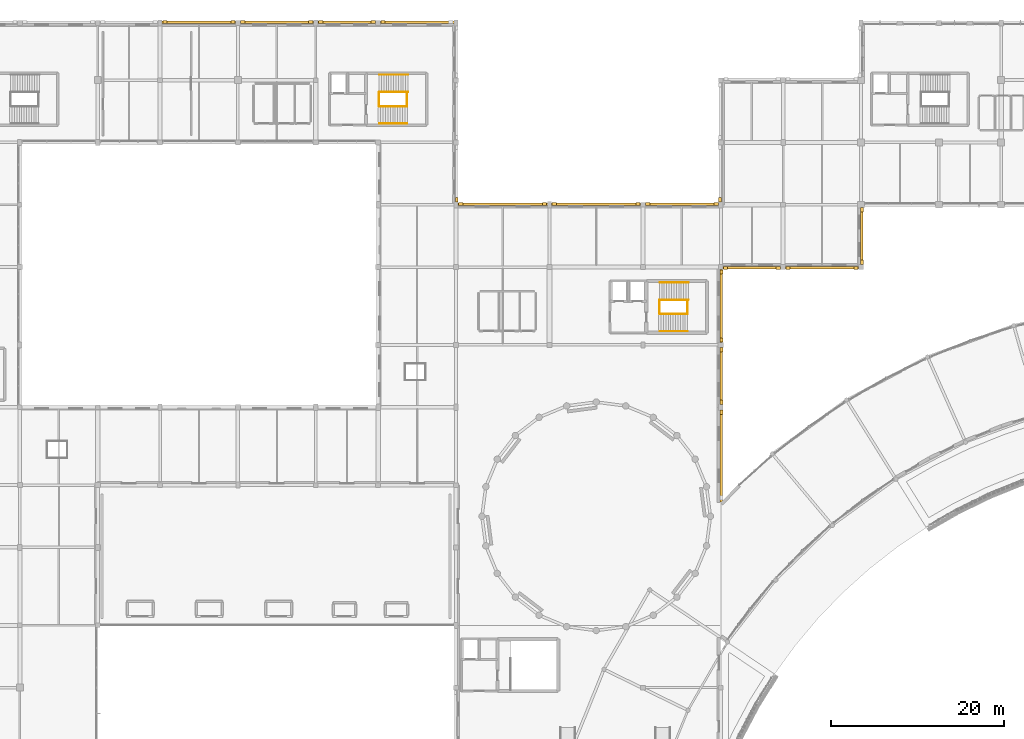
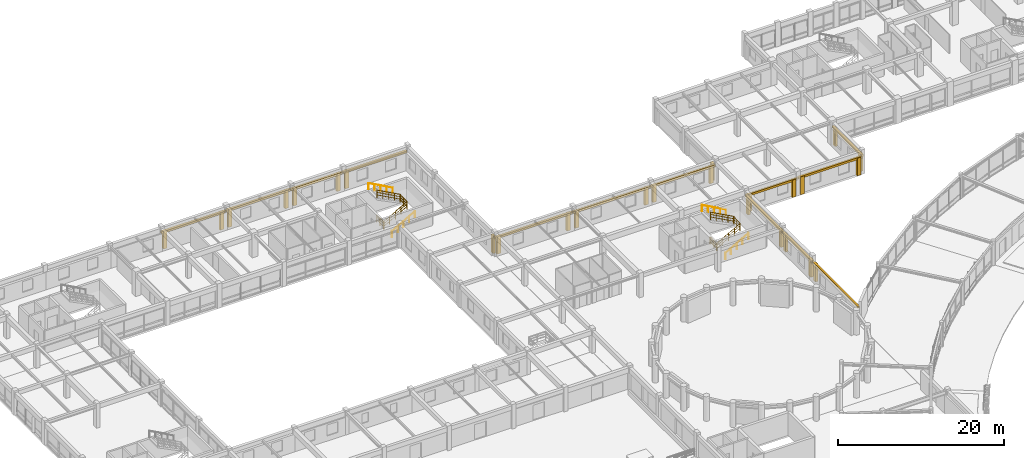
# One storey, part 69 of 74: 39 coverings, 12 railings.
"""IFC4 building model written with IfcOpenShell, lengths in metres."""

from ifc_helpers import new_model, si_unit, direction, frame, frame_2d, origin, origin_2d, place, context, subcontext, project, spatial, rectangle, circle, extrude, material, layer, layer_set, type_object, element, save


model = new_model("IFC4")

# Units and contexts
model_context = context("Model", 3, precision=1e-05, world=origin(), true_north=direction((0.0, 1.0)))
body_context = subcontext(model_context, "Body", "Model", "MODEL_VIEW")
ifc_project = project(units=[si_unit("LENGTHUNIT", "METRE"), si_unit("AREAUNIT", "SQUARE_METRE"), si_unit("VOLUMEUNIT", "CUBIC_METRE"), si_unit("PLANEANGLEUNIT", "RADIAN"), si_unit("MASSUNIT", "GRAM", prefix="KILO")], contexts=[model_context])

# Site, building, storey
site_placement = place(None, origin())
site = spatial("IfcSite", under=ifc_project, at=site_placement, CompositionType="ELEMENT")
building_placement = place(site_placement, origin())
building = spatial("IfcBuilding", under=site, at=building_placement, Name="Clarverna Civic Hall", CompositionType="ELEMENT")
storey_placement = place(building_placement, frame((0.0, 0.0, 9.60009765625)))
storey = spatial("IfcBuildingStorey", under=building, at=storey_placement, Name="L02", CompositionType="ELEMENT", Elevation=9.60009765625)

# Coverings
ifc_material_1 = material(Name="Montjuic Buff Limestone Ashlar Cladding", Category="masonry")
ifc_layer = layer(ifc_material_1, 0.070068359375)
ifc_layer_set = layer_set([ifc_layer], Name="Montjuic Buff Limestone Ashlar Cladding")
covering_type = type_object("IfcCoveringType", Name="CV-CL2", PredefinedType="CLADDING", material=ifc_layer_set)
covering_1_placement = place(storey_placement, frame((32.4599609375, 116.080078125, 2.31982421875), z_axis=(0.0, 0.0, 1.0), x_axis=(1.0, 0.0, 0.0)))
element("IfcCovering", 1, at=covering_1_placement, inside=storey, type_object=covering_type, Name="CV-CL2-413", PredefinedType="CLADDING", context=body_context, shape_type="SweptSolid", body=[
    extrude(rectangle(XDim=8.880126953125, YDim=0.280029296875, at=frame_2d((4.43994140625, 0.0))), origin(), (0.0, 0.0, 1.0), 0.300048828125),
])
for number, where, z_axis, x_axis, name in (
    (2, (32.719970703125, 116.110107421875, 0.0), (0.0, 0.0, 1.0), (1.0, 0.0, 0.0), "CV-CL2-414"),
    (3, (40.580078125, 116.110107421875, 0.0), (0.0, 0.0, 1.0), (1.0, 0.0, 0.0), "CV-CL2-415"),
):
    element("IfcCovering", number, at=place(storey_placement, frame(where, z_axis=z_axis, x_axis=x_axis)), inside=storey, type_object=covering_type, Name=name, PredefinedType="CLADDING", context=body_context, shape_type="SweptSolid", body=[
        extrude(rectangle(XDim=0.5, YDim=0.340087890625, at=frame_2d((0.25, 0.0))), origin(), (0.0, 0.0, 1.0), 2.599853515625),
    ])
covering_2_placement = place(storey_placement, frame((41.4599609375, 116.080078125, 2.35986328125), z_axis=(0.0, 0.0, 1.0), x_axis=(1.0, 0.0, 0.0)))
element("IfcCovering", 4, at=covering_2_placement, inside=storey, type_object=covering_type, Name="CV-CL2-416", PredefinedType="CLADDING", context=body_context, shape_type="SweptSolid", body=[
    extrude(rectangle(XDim=8.880126953125, YDim=0.280029296875, at=frame_2d((4.43994140625, 0.0))), origin(), (0.0, 0.0, 1.0), 0.300048828125),
])
for number, where, z_axis, x_axis, name in (
    (5, (41.719970703125, 116.110107421875, 0.0), (0.0, 0.0, 1.0), (1.0, 0.0, 0.0), "CV-CL2-417"),
    (6, (49.580078125, 116.110107421875, 0.0), (0.0, 0.0, 1.0), (1.0, 0.0, 0.0), "CV-CL2-418"),
):
    element("IfcCovering", number, at=place(storey_placement, frame(where, z_axis=z_axis, x_axis=x_axis)), inside=storey, type_object=covering_type, Name=name, PredefinedType="CLADDING", context=body_context, shape_type="SweptSolid", body=[
        extrude(rectangle(XDim=0.5, YDim=0.340087890625, at=frame_2d((0.25, 0.0))), origin(), (0.0, 0.0, 1.0), 2.639892578125),
    ])
covering_3_placement = place(storey_placement, frame((50.4599609375, 116.080078125, 2.31982421875), z_axis=(0.0, 0.0, 1.0), x_axis=(1.0, 0.0, 0.0)))
element("IfcCovering", 7, at=covering_3_placement, inside=storey, type_object=covering_type, Name="CV-CL2-419", PredefinedType="CLADDING", context=body_context, shape_type="SweptSolid", body=[
    extrude(rectangle(XDim=7.080078125, YDim=0.280029296875, at=frame_2d((3.5400390625, 0.0))), origin(), (0.0, 0.0, 1.0), 0.300048828125),
])
for number, where, z_axis, x_axis, name in (
    (8, (50.719970703125, 116.110107421875, 0.0), (0.0, 0.0, 1.0), (1.0, 0.0, 0.0), "CV-CL2-420"),
    (9, (56.780029296875, 116.110107421875, 0.0), (0.0, 0.0, 1.0), (1.0, 0.0, 0.0), "CV-CL2-421"),
):
    element("IfcCovering", number, at=place(storey_placement, frame(where, z_axis=z_axis, x_axis=x_axis)), inside=storey, type_object=covering_type, Name=name, PredefinedType="CLADDING", context=body_context, shape_type="SweptSolid", body=[
        extrude(rectangle(XDim=0.5, YDim=0.340087890625, at=frame_2d((0.25, 0.0))), origin(), (0.0, 0.0, 1.0), 2.599853515625),
    ])
covering_4_placement = place(storey_placement, frame((57.659912109375, 116.080078125, 2.31982421875), z_axis=(0.0, 0.0, 1.0), x_axis=(1.0, 0.0, 0.0)))
element("IfcCovering", 10, at=covering_4_placement, inside=storey, type_object=covering_type, Name="CV-CL2-422", PredefinedType="CLADDING", context=body_context, shape_type="SweptSolid", body=[
    extrude(rectangle(XDim=8.85498046875, YDim=0.280029296875, at=frame_2d((4.427490234375, 0.0))), origin(), (0.0, 0.0, 1.0), 0.300048828125),
])
covering_5_placement = place(storey_placement, frame((57.919921875, 116.110107421875, 0.0), z_axis=(0.0, 0.0, 1.0), x_axis=(1.0, 0.0, 0.0)))
element("IfcCovering", 11, at=covering_5_placement, inside=storey, type_object=covering_type, Name="CV-CL2-423", PredefinedType="CLADDING", context=body_context, shape_type="SweptSolid", body=[
    extrude(rectangle(XDim=0.5, YDim=0.340087890625, at=frame_2d((0.25, 0.0))), origin(), (0.0, 0.0, 1.0), 2.599853515625),
])
covering_6_placement = place(storey_placement, frame((66.68505859375, 95.820068359375, 0.0), z_axis=(0.0, 0.0, 1.0), x_axis=(0.0, -1.0, 0.0)))
element("IfcCovering", 12, at=covering_6_placement, inside=storey, type_object=covering_type, Name="CV-CL2-433", PredefinedType="CLADDING", context=body_context, shape_type="SweptSolid", body=[
    extrude(rectangle(XDim=0.5, YDim=0.340087890625, at=frame_2d((0.25, 0.0))), origin(), (0.0, 0.0, 1.0), 2.559814453125),
])
covering_7_placement = place(storey_placement, frame((66.635009765625, 95.080078125, 2.27978515625), z_axis=(0.0, 0.0, 1.0), x_axis=(1.0, 0.0, 0.0)))
element("IfcCovering", 13, at=covering_7_placement, inside=storey, type_object=covering_type, Name="CV-CL2-434", PredefinedType="CLADDING", context=body_context, shape_type="SweptSolid", body=[
    extrude(rectangle(XDim=10.705078125, YDim=0.280029296875, at=frame_2d((5.3525390625, 0.0))), origin(), (0.0, 0.0, 1.0), 0.300048828125),
])
for number, where, z_axis, x_axis, name in (
    (14, (66.89501953125, 95.110107421875, 0.0), (0.0, 0.0, 1.0), (1.0, 0.0, 0.0), "CV-CL2-435"),
    (15, (76.580078125, 95.110107421875, 0.0), (0.0, 0.0, 1.0), (1.0, 0.0, 0.0), "CV-CL2-436"),
):
    element("IfcCovering", number, at=place(storey_placement, frame(where, z_axis=z_axis, x_axis=x_axis)), inside=storey, type_object=covering_type, Name=name, PredefinedType="CLADDING", context=body_context, shape_type="SweptSolid", body=[
        extrude(rectangle(XDim=0.5, YDim=0.340087890625, at=frame_2d((0.25, 0.0))), origin(), (0.0, 0.0, 1.0), 2.559814453125),
    ])
covering_8_placement = place(storey_placement, frame((77.4599609375, 95.080078125, 2.25), z_axis=(0.0, 0.0, 1.0), x_axis=(1.0, 0.0, 0.0)))
element("IfcCovering", 16, at=covering_8_placement, inside=storey, type_object=covering_type, Name="CV-CL2-437", PredefinedType="CLADDING", context=body_context, shape_type="SweptSolid", body=[
    extrude(rectangle(XDim=10.679931640625, YDim=0.280029296875, at=frame_2d((5.33984375, 0.0))), origin(), (0.0, 0.0, 1.0), 0.2998046875),
])
for number, where, z_axis, x_axis, name in (
    (17, (77.719970703125, 95.110107421875, 0.0), (0.0, 0.0, 1.0), (1.0, 0.0, 0.0), "CV-CL2-438"),
    (18, (87.3798828125, 95.110107421875, 0.0), (0.0, 0.0, 1.0), (1.0, 0.0, 0.0), "CV-CL2-439"),
):
    element("IfcCovering", number, at=place(storey_placement, frame(where, z_axis=z_axis, x_axis=x_axis)), inside=storey, type_object=covering_type, Name=name, PredefinedType="CLADDING", context=body_context, shape_type="SweptSolid", body=[
        extrude(rectangle(XDim=0.5, YDim=0.340087890625, at=frame_2d((0.25, 0.0))), origin(), (0.0, 0.0, 1.0), 2.52978515625),
    ])
covering_9_placement = place(storey_placement, frame((88.260009765625, 95.080078125, 2.25), z_axis=(0.0, 0.0, 1.0), x_axis=(1.0, 0.0, 0.0)))
element("IfcCovering", 19, at=covering_9_placement, inside=storey, type_object=covering_type, Name="CV-CL2-440", PredefinedType="CLADDING", context=body_context, shape_type="SweptSolid", body=[
    extrude(rectangle(XDim=8.905029296875, YDim=0.280029296875, at=frame_2d((4.45263671875, 0.0))), origin(), (0.0, 0.0, 1.0), 0.2998046875),
])
for number, where, z_axis, x_axis, name in (
    (20, (88.52001953125, 95.110107421875, 0.0), (0.0, 0.0, 1.0), (1.0, 0.0, 0.0), "CV-CL2-441"),
    (21, (96.405029296875, 95.110107421875, 0.0), (0.0, 0.0, 1.0), (1.0, 0.0, 0.0), "CV-CL2-442"),
):
    element("IfcCovering", number, at=place(storey_placement, frame(where, z_axis=z_axis, x_axis=x_axis)), inside=storey, type_object=covering_type, Name=name, PredefinedType="CLADDING", context=body_context, shape_type="SweptSolid", body=[
        extrude(rectangle(XDim=0.5, YDim=0.340087890625, at=frame_2d((0.25, 0.0))), origin(), (0.0, 0.0, 1.0), 2.52978515625),
    ])
covering_10_placement = place(storey_placement, frame((97.114990234375, 95.320068359375, 0.0), z_axis=(0.0, 0.0, 1.0), x_axis=(0.0, 1.0, 0.0)))
element("IfcCovering", 22, at=covering_10_placement, inside=storey, type_object=covering_type, Name="CV-CL2-444", PredefinedType="CLADDING", context=body_context, shape_type="SweptSolid", body=[
    extrude(rectangle(XDim=0.5, YDim=0.340087890625, at=frame_2d((0.25, 0.0))), origin(), (0.0, 0.0, 1.0), 2.52001953125),
])
covering_11_placement = place(storey_placement, frame((113.47998046875, 94.93994140625, 2.31982421875), z_axis=(0.0, 0.0, 1.0), x_axis=(0.0, -1.0, 0.0)))
element("IfcCovering", 23, at=covering_11_placement, inside=storey, type_object=covering_type, Name="CV-CL2-470", PredefinedType="CLADDING", context=body_context, shape_type="SweptSolid", body=[
    extrude(rectangle(XDim=7.079833984375, YDim=0.280029296875, at=frame_2d((3.5400390625, 0.0))), origin(), (0.0, 0.0, 1.0), 0.300048828125),
])
for number, where, z_axis, x_axis, name in (
    (24, (113.510009765625, 94.679931640625, 0.0), (0.0, 0.0, 1.0), (0.0, -1.0, 0.0), "CV-CL2-471"),
    (25, (113.510009765625, 88.6201171875, 0.0), (0.0, 0.0, 1.0), (0.0, -1.0, 0.0), "CV-CL2-472"),
):
    element("IfcCovering", number, at=place(storey_placement, frame(where, z_axis=z_axis, x_axis=x_axis)), inside=storey, type_object=covering_type, Name=name, PredefinedType="CLADDING", context=body_context, shape_type="SweptSolid", body=[
        extrude(rectangle(XDim=0.5, YDim=0.340087890625, at=frame_2d((0.25, 0.0))), origin(), (0.0, 0.0, 1.0), 2.599853515625),
    ])
covering_12_placement = place(storey_placement, frame((113.340087890625, 87.719970703125, 2.31982421875), z_axis=(0.0, 0.0, 1.0), x_axis=(-1.0, 0.0, 0.0)))
element("IfcCovering", 26, at=covering_12_placement, inside=storey, type_object=covering_type, Name="CV-CL2-473", PredefinedType="CLADDING", context=body_context, shape_type="SweptSolid", body=[
    extrude(rectangle(XDim=8.880126953125, YDim=0.280029296875, at=frame_2d((4.43994140625, 0.0))), origin(), (0.0, 0.0, 1.0), 0.300048828125),
])
for number, where, z_axis, x_axis, name in (
    (27, (113.080078125, 87.68994140625, 0.0), (0.0, 0.0, 1.0), (-1.0, 0.0, 0.0), "CV-CL2-474"),
    (28, (105.219970703125, 87.68994140625, 0.0), (0.0, 0.0, 1.0), (-1.0, 0.0, 0.0), "CV-CL2-475"),
):
    element("IfcCovering", number, at=place(storey_placement, frame(where, z_axis=z_axis, x_axis=x_axis)), inside=storey, type_object=covering_type, Name=name, PredefinedType="CLADDING", context=body_context, shape_type="SweptSolid", body=[
        extrude(rectangle(XDim=0.5, YDim=0.340087890625, at=frame_2d((0.25, 0.0))), origin(), (0.0, 0.0, 1.0), 2.599853515625),
    ])
covering_13_placement = place(storey_placement, frame((104.340087890625, 87.719970703125, 2.25), z_axis=(0.0, 0.0, 1.0), x_axis=(-1.0, 0.0, 0.0)))
element("IfcCovering", 29, at=covering_13_placement, inside=storey, type_object=covering_type, Name="CV-CL2-476", PredefinedType="CLADDING", context=body_context, shape_type="SweptSolid", body=[
    extrude(rectangle(XDim=7.10498046875, YDim=0.280029296875, at=frame_2d((3.552490234375, 0.0))), origin(), (0.0, 0.0, 1.0), 0.2998046875),
])
for number, where, z_axis, x_axis, name in (
    (30, (104.080078125, 87.68994140625, 0.0), (0.0, 0.0, 1.0), (-1.0, 0.0, 0.0), "CV-CL2-477"),
    (31, (97.9951171875, 87.68994140625, 0.0), (0.0, 0.0, 1.0), (-1.0, 0.0, 0.0), "CV-CL2-478"),
):
    element("IfcCovering", number, at=place(storey_placement, frame(where, z_axis=z_axis, x_axis=x_axis)), inside=storey, type_object=covering_type, Name=name, PredefinedType="CLADDING", context=body_context, shape_type="SweptSolid", body=[
        extrude(rectangle(XDim=0.5, YDim=0.340087890625, at=frame_2d((0.25, 0.0))), origin(), (0.0, 0.0, 1.0), 2.52978515625),
    ])
covering_14_placement = place(storey_placement, frame((97.2548828125, 87.739990234375, 2.25), z_axis=(0.0, 0.0, 1.0), x_axis=(0.0, -1.0, 0.0)))
element("IfcCovering", 32, at=covering_14_placement, inside=storey, type_object=covering_type, Name="CV-CL2-479", PredefinedType="CLADDING", context=body_context, shape_type="SweptSolid", body=[
    extrude(rectangle(XDim=8.8798828125, YDim=0.280029296875, at=frame_2d((4.43994140625, 0.0))), origin(), (0.0, 0.0, 1.0), 0.2998046875),
])
for number, where, z_axis, x_axis, name in (
    (33, (97.284912109375, 87.47998046875, 0.0), (0.0, 0.0, 1.0), (0.0, -1.0, 0.0), "CV-CL2-480"),
    (34, (97.284912109375, 79.6201171875, 0.0), (0.0, 0.0, 1.0), (0.0, -1.0, 0.0), "CV-CL2-481"),
):
    element("IfcCovering", number, at=place(storey_placement, frame(where, z_axis=z_axis, x_axis=x_axis)), inside=storey, type_object=covering_type, Name=name, PredefinedType="CLADDING", context=body_context, shape_type="SweptSolid", body=[
        extrude(rectangle(XDim=0.5, YDim=0.340087890625, at=frame_2d((0.25, 0.0))), origin(), (0.0, 0.0, 1.0), 2.52978515625),
    ])
covering_15_placement = place(storey_placement, frame((97.2548828125, 78.739990234375, 2.27978515625), z_axis=(0.0, 0.0, 1.0), x_axis=(0.0, -1.0, 0.0)))
element("IfcCovering", 35, at=covering_15_placement, inside=storey, type_object=covering_type, Name="CV-CL2-482", PredefinedType="CLADDING", context=body_context, shape_type="SweptSolid", body=[
    extrude(rectangle(XDim=7.080078125, YDim=0.280029296875, at=frame_2d((3.5400390625, 0.0))), origin(), (0.0, 0.0, 1.0), 0.300048828125),
])
for number, where, z_axis, x_axis, name in (
    (36, (97.284912109375, 78.47998046875, 0.0), (0.0, 0.0, 1.0), (0.0, -1.0, 0.0), "CV-CL2-483"),
    (37, (97.284912109375, 72.419921875, 0.0), (0.0, 0.0, 1.0), (0.0, -1.0, 0.0), "CV-CL2-484"),
):
    element("IfcCovering", number, at=place(storey_placement, frame(where, z_axis=z_axis, x_axis=x_axis)), inside=storey, type_object=covering_type, Name=name, PredefinedType="CLADDING", context=body_context, shape_type="SweptSolid", body=[
        extrude(rectangle(XDim=0.5, YDim=0.340087890625, at=frame_2d((0.25, 0.0))), origin(), (0.0, 0.0, 1.0), 2.559814453125),
    ])
covering_16_placement = place(storey_placement, frame((97.2548828125, 71.5400390625, 2.27978515625), z_axis=(0.0, 0.0, 1.0), x_axis=(0.0, -1.0, 0.0)))
element("IfcCovering", 38, at=covering_16_placement, inside=storey, type_object=covering_type, Name="CV-CL2-485", PredefinedType="CLADDING", context=body_context, shape_type="SweptSolid", body=[
    extrude(rectangle(XDim=10.913330078125, YDim=0.280029296875, at=frame_2d((5.45654296875, 0.0))), origin(), (0.0, 0.0, 1.0), 0.300048828125),
])
covering_17_placement = place(storey_placement, frame((97.284912109375, 71.280029296875, 0.0), z_axis=(0.0, 0.0, 1.0), x_axis=(0.0, -1.0, 0.0)))
element("IfcCovering", 39, at=covering_17_placement, inside=storey, type_object=covering_type, Name="CV-CL2-486", PredefinedType="CLADDING", context=body_context, shape_type="SweptSolid", body=[
    extrude(rectangle(XDim=0.5, YDim=0.340087890625, at=frame_2d((0.25, 0.0))), origin(), (0.0, 0.0, 1.0), 2.559814453125),
])

# Railings
ifc_material_2 = material(Name="Anodised Bronze Architectural Balustrade")
railing_type_1 = type_object("IfcRailingType", Name="GR-02", PredefinedType="BALUSTRADE", material=ifc_material_2)
railing_1_placement = place(storey_placement, frame((90.14990234375, 82.39990234375, 0.0)))
element("IfcRailing", 40, at=railing_1_placement, inside=storey, type_object=railing_type_1, Name="GR-02-079", PredefinedType="BALUSTRADE", context=body_context, shape_type="SweptSolid", body=[
    extrude(circle(Radius=0.02392578125, at=origin_2d()), frame((0.0, 0.0, 1.09619140625), z_axis=(0.87193006163, 0.0, 0.489630439849), x_axis=(0.0, 1.0, 0.0)), (0.0, 0.0, 1.0), 3.67578125),
    extrude(circle(Radius=0.011962890625, at=origin_2d()), frame((0.0, 0.0, 0.39208984375), z_axis=(0.87193006163, 0.0, 0.489630439849), x_axis=(0.0, 1.0, 0.0)), (0.0, 0.0, 1.0), 3.67578125),
    extrude(circle(Radius=0.011962890625, at=origin_2d()), frame((0.0, 0.0, 0.76171875), z_axis=(0.87193006163, 0.0, 0.489630439849), x_axis=(0.0, 1.0, 0.0)), (0.0, 0.0, 1.0), 3.67578125),
    extrude(circle(Radius=0.02099609375, at=origin_2d()), origin(), (0.0, 0.0, 1.0), 1.072021484375),
    extrude(circle(Radius=0.02099609375, at=origin_2d()), frame((0.80126953125, 0.0, 0.449951171875)), (0.0, 0.0, 1.0), 1.072021484375),
    extrude(circle(Radius=0.02099609375, at=origin_2d()), frame((1.6025390625, 0.0, 0.89990234375)), (0.0, 0.0, 1.0), 1.072021484375),
    extrude(circle(Radius=0.02099609375, at=origin_2d()), frame((2.40380859375, 0.0, 1.349853515625)), (0.0, 0.0, 1.0), 1.072021484375),
    extrude(circle(Radius=0.02099609375, at=origin_2d()), frame((3.205078125, 0.0, 1.7998046875)), (0.0, 0.0, 1.0), 1.072021484375),
])
railing_2_placement = place(storey_placement, frame((93.35498046875, 82.39990234375, 1.7998046875)))
element("IfcRailing", 41, at=railing_2_placement, inside=storey, type_object=railing_type_1, Name="GR-02-080", PredefinedType="BALUSTRADE", context=body_context, shape_type="SweptSolid", body=[
    extrude(circle(Radius=0.02392578125, at=origin_2d()), frame((0.0, 0.0, 1.09619140625), z_axis=(0.0, 1.0, 0.0), x_axis=(-1.0, 0.0, 0.0)), (0.0, 0.0, 1.0), 1.60009765625),
    extrude(circle(Radius=0.011962890625, at=origin_2d()), frame((0.0, 0.0, 0.39208984375), z_axis=(0.0, 1.0, 0.0), x_axis=(-1.0, 0.0, 0.0)), (0.0, 0.0, 1.0), 1.60009765625),
    extrude(circle(Radius=0.011962890625, at=origin_2d()), frame((0.0, 0.0, 0.76171875), z_axis=(0.0, 1.0, 0.0), x_axis=(-1.0, 0.0, 0.0)), (0.0, 0.0, 1.0), 1.60009765625),
    extrude(circle(Radius=0.02099609375, at=origin_2d()), origin(), (0.0, 0.0, 1.0), 1.072021484375),
    extrude(circle(Radius=0.02099609375, at=origin_2d()), frame((0.0, 0.800048828125, 0.0)), (0.0, 0.0, 1.0), 1.072021484375),
    extrude(circle(Radius=0.02099609375, at=origin_2d()), frame((0.0, 1.60009765625, 0.0)), (0.0, 0.0, 1.0), 1.072021484375),
])
railing_3_placement = place(storey_placement, frame((93.445068359375, 84.0, 1.7998046875)))
element("IfcRailing", 42, at=railing_3_placement, inside=storey, type_object=railing_type_1, Name="GR-02-081", PredefinedType="BALUSTRADE", context=body_context, shape_type="SweptSolid", body=[
    extrude(circle(Radius=0.02392578125, at=origin_2d()), frame((0.0, 0.0, 1.09619140625), z_axis=(-0.877594727342, 0.0, 0.479403269222), x_axis=(0.0, -1.0, 0.0)), (0.0, 0.0, 1.0), 3.7548828125),
    extrude(circle(Radius=0.011962890625, at=origin_2d()), frame((0.0, 0.0, 0.39208984375), z_axis=(-0.877594727342, 0.0, 0.479403269222), x_axis=(0.0, -1.0, 0.0)), (0.0, 0.0, 1.0), 3.7548828125),
    extrude(circle(Radius=0.011962890625, at=origin_2d()), frame((0.0, 0.0, 0.76171875), z_axis=(-0.877594727342, 0.0, 0.479403269222), x_axis=(0.0, -1.0, 0.0)), (0.0, 0.0, 1.0), 3.7548828125),
    extrude(circle(Radius=0.02099609375, at=origin_2d()), origin(), (0.0, 0.0, 1.0), 1.072021484375),
    extrude(circle(Radius=0.02099609375, at=origin_2d()), frame((-0.82373046875, 0.0, 0.449951171875)), (0.0, 0.0, 1.0), 1.072021484375),
    extrude(circle(Radius=0.02099609375, at=origin_2d()), frame((-1.6474609375, 0.0, 0.89990234375)), (0.0, 0.0, 1.0), 1.072021484375),
    extrude(circle(Radius=0.02099609375, at=origin_2d()), frame((-2.471435546875, 0.0, 1.35009765625)), (0.0, 0.0, 1.0), 1.072021484375),
    extrude(circle(Radius=0.02099609375, at=origin_2d()), frame((-3.295166015625, 0.0, 1.800048828125)), (0.0, 0.0, 1.0), 1.072021484375),
])
railing_4_placement = place(storey_placement, frame((90.110107421875, 82.43994140625, 0.0)))
element("IfcRailing", 43, at=railing_4_placement, inside=storey, type_object=railing_type_1, Name="GR-02-082", PredefinedType="BALUSTRADE", context=body_context, shape_type="SweptSolid", body=[
    extrude(circle(Radius=0.02392578125, at=origin_2d()), frame((0.0, 0.0, 1.09619140625), z_axis=(0.0, 1.0, 0.0), x_axis=(-1.0, 0.0, 0.0)), (0.0, 0.0, 1.0), 1.56005859375),
    extrude(circle(Radius=0.011962890625, at=origin_2d()), frame((0.0, 0.0, 0.39208984375), z_axis=(0.0, 1.0, 0.0), x_axis=(-1.0, 0.0, 0.0)), (0.0, 0.0, 1.0), 1.56005859375),
    extrude(circle(Radius=0.011962890625, at=origin_2d()), frame((0.0, 0.0, 0.76171875), z_axis=(0.0, 1.0, 0.0), x_axis=(-1.0, 0.0, 0.0)), (0.0, 0.0, 1.0), 1.56005859375),
    extrude(circle(Radius=0.02099609375, at=origin_2d()), origin(), (0.0, 0.0, 1.0), 1.072021484375),
    extrude(circle(Radius=0.02099609375, at=origin_2d()), frame((0.0, 0.780029296875, 0.0)), (0.0, 0.0, 1.0), 1.072021484375),
    extrude(circle(Radius=0.02099609375, at=origin_2d()), frame((0.0, 1.56005859375, 0.0)), (0.0, 0.0, 1.0), 1.072021484375),
])
railing_5_placement = place(storey_placement, frame((57.75, 106.360107421875, 0.0)))
element("IfcRailing", 44, at=railing_5_placement, inside=storey, type_object=railing_type_1, Name="GR-02-187", PredefinedType="BALUSTRADE", context=body_context, shape_type="SweptSolid", body=[
    extrude(circle(Radius=0.02392578125, at=origin_2d()), frame((0.0, 0.0, 1.09619140625), z_axis=(0.87193006163, 0.0, 0.489630439849), x_axis=(0.0, 1.0, 0.0)), (0.0, 0.0, 1.0), 3.67578125),
    extrude(circle(Radius=0.011962890625, at=origin_2d()), frame((0.0, 0.0, 0.39208984375), z_axis=(0.87193006163, 0.0, 0.489630439849), x_axis=(0.0, 1.0, 0.0)), (0.0, 0.0, 1.0), 3.67578125),
    extrude(circle(Radius=0.011962890625, at=origin_2d()), frame((0.0, 0.0, 0.76171875), z_axis=(0.87193006163, 0.0, 0.489630439849), x_axis=(0.0, 1.0, 0.0)), (0.0, 0.0, 1.0), 3.67578125),
    extrude(circle(Radius=0.02099609375, at=origin_2d()), origin(), (0.0, 0.0, 1.0), 1.072021484375),
    extrude(circle(Radius=0.02099609375, at=origin_2d()), frame((0.80126953125, 0.0, 0.449951171875)), (0.0, 0.0, 1.0), 1.072021484375),
    extrude(circle(Radius=0.02099609375, at=origin_2d()), frame((1.6025390625, 0.0, 0.89990234375)), (0.0, 0.0, 1.0), 1.072021484375),
    extrude(circle(Radius=0.02099609375, at=origin_2d()), frame((2.40380859375, 0.0, 1.349853515625)), (0.0, 0.0, 1.0), 1.072021484375),
    extrude(circle(Radius=0.02099609375, at=origin_2d()), frame((3.205078125, 0.0, 1.7998046875)), (0.0, 0.0, 1.0), 1.072021484375),
])
railing_6_placement = place(storey_placement, frame((60.955078125, 106.360107421875, 1.7998046875)))
element("IfcRailing", 45, at=railing_6_placement, inside=storey, type_object=railing_type_1, Name="GR-02-188", PredefinedType="BALUSTRADE", context=body_context, shape_type="SweptSolid", body=[
    extrude(circle(Radius=0.02392578125, at=origin_2d()), frame((0.0, 0.0, 1.09619140625), z_axis=(0.0, 1.0, 0.0), x_axis=(-1.0, 0.0, 0.0)), (0.0, 0.0, 1.0), 1.679931640625),
    extrude(circle(Radius=0.011962890625, at=origin_2d()), frame((0.0, 0.0, 0.39208984375), z_axis=(0.0, 1.0, 0.0), x_axis=(-1.0, 0.0, 0.0)), (0.0, 0.0, 1.0), 1.679931640625),
    extrude(circle(Radius=0.011962890625, at=origin_2d()), frame((0.0, 0.0, 0.76171875), z_axis=(0.0, 1.0, 0.0), x_axis=(-1.0, 0.0, 0.0)), (0.0, 0.0, 1.0), 1.679931640625),
    extrude(circle(Radius=0.02099609375, at=origin_2d()), origin(), (0.0, 0.0, 1.0), 1.072021484375),
    extrude(circle(Radius=0.02099609375, at=origin_2d()), frame((0.0, 0.83984375, 0.0)), (0.0, 0.0, 1.0), 1.072021484375),
    extrude(circle(Radius=0.02099609375, at=origin_2d()), frame((0.0, 1.679931640625, 0.0)), (0.0, 0.0, 1.0), 1.072021484375),
])
railing_7_placement = place(storey_placement, frame((61.044921875, 108.0400390625, 1.7998046875)))
element("IfcRailing", 46, at=railing_7_placement, inside=storey, type_object=railing_type_1, Name="GR-02-189", PredefinedType="BALUSTRADE", context=body_context, shape_type="SweptSolid", body=[
    extrude(circle(Radius=0.02392578125, at=origin_2d()), frame((0.0, 0.0, 1.09619140625), z_axis=(-0.877579782342, 0.0, 0.479430626498), x_axis=(0.0, -1.0, 0.0)), (0.0, 0.0, 1.0), 3.754638671875),
    extrude(circle(Radius=0.011962890625, at=origin_2d()), frame((0.0, 0.0, 0.39208984375), z_axis=(-0.877579782342, 0.0, 0.479430626498), x_axis=(0.0, -1.0, 0.0)), (0.0, 0.0, 1.0), 3.754638671875),
    extrude(circle(Radius=0.011962890625, at=origin_2d()), frame((0.0, 0.0, 0.76171875), z_axis=(-0.877579782342, 0.0, 0.479430626498), x_axis=(0.0, -1.0, 0.0)), (0.0, 0.0, 1.0), 3.754638671875),
    extrude(circle(Radius=0.02099609375, at=origin_2d()), origin(), (0.0, 0.0, 1.0), 1.072021484375),
    extrude(circle(Radius=0.02099609375, at=origin_2d()), frame((-0.82373046875, 0.0, 0.449951171875)), (0.0, 0.0, 1.0), 1.072021484375),
    extrude(circle(Radius=0.02099609375, at=origin_2d()), frame((-1.6474609375, 0.0, 0.89990234375)), (0.0, 0.0, 1.0), 1.072021484375),
    extrude(circle(Radius=0.02099609375, at=origin_2d()), frame((-2.47119140625, 0.0, 1.35009765625)), (0.0, 0.0, 1.0), 1.072021484375),
    extrude(circle(Radius=0.02099609375, at=origin_2d()), frame((-3.294921875, 0.0, 1.800048828125)), (0.0, 0.0, 1.0), 1.072021484375),
])
railing_8_placement = place(storey_placement, frame((57.7099609375, 106.39990234375, 0.0)))
element("IfcRailing", 47, at=railing_8_placement, inside=storey, type_object=railing_type_1, Name="GR-02-190", PredefinedType="BALUSTRADE", context=body_context, shape_type="SweptSolid", body=[
    extrude(circle(Radius=0.02392578125, at=origin_2d()), frame((0.0, 0.0, 1.09619140625), z_axis=(0.0, 1.0, 0.0), x_axis=(-1.0, 0.0, 0.0)), (0.0, 0.0, 1.0), 1.60009765625),
    extrude(circle(Radius=0.011962890625, at=origin_2d()), frame((0.0, 0.0, 0.39208984375), z_axis=(0.0, 1.0, 0.0), x_axis=(-1.0, 0.0, 0.0)), (0.0, 0.0, 1.0), 1.60009765625),
    extrude(circle(Radius=0.011962890625, at=origin_2d()), frame((0.0, 0.0, 0.76171875), z_axis=(0.0, 1.0, 0.0), x_axis=(-1.0, 0.0, 0.0)), (0.0, 0.0, 1.0), 1.60009765625),
    extrude(circle(Radius=0.02099609375, at=origin_2d()), origin(), (0.0, 0.0, 1.0), 1.072021484375),
    extrude(circle(Radius=0.02099609375, at=origin_2d()), frame((0.0, 0.800048828125, 0.0)), (0.0, 0.0, 1.0), 1.072021484375),
    extrude(circle(Radius=0.02099609375, at=origin_2d()), frame((0.0, 1.60009765625, 0.0)), (0.0, 0.0, 1.0), 1.072021484375),
])
ifc_material_3 = material(Name="Anodised Bronze Continuous Handrail")
railing_type_2 = type_object("IfcRailingType", Name="HR-01", PredefinedType="HANDRAIL", material=ifc_material_3)
railing_9_placement = place(storey_placement, frame((90.14990234375, 80.3798828125, 0.0)))
element("IfcRailing", 48, at=railing_9_placement, inside=storey, type_object=railing_type_2, Name="HR-01-039", PredefinedType="HANDRAIL", context=body_context, shape_type="SweptSolid", body=[
    extrude(circle(Radius=0.02392578125, at=origin_2d()), frame((0.0, 0.0, 0.89599609375), z_axis=(0.870953600603, 0.0, 0.491365266982), x_axis=(0.0, 1.0, 0.0)), (0.0, 0.0, 1.0), 3.662841796875),
    extrude(circle(Radius=0.02099609375, at=origin_2d()), origin(), (0.0, 0.0, 1.0), 0.871826171875),
    extrude(circle(Radius=0.02099609375, at=origin_2d()), frame((0.797607421875, 0.0, 0.449951171875)), (0.0, 0.0, 1.0), 0.871826171875),
    extrude(circle(Radius=0.02099609375, at=origin_2d()), frame((1.59521484375, 0.0, 0.89990234375)), (0.0, 0.0, 1.0), 0.871826171875),
    extrude(circle(Radius=0.02099609375, at=origin_2d()), frame((2.392578125, 0.0, 1.349853515625)), (0.0, 0.0, 1.0), 0.871826171875),
    extrude(circle(Radius=0.02099609375, at=origin_2d()), frame((3.190185546875, 0.0, 1.7998046875)), (0.0, 0.0, 1.0), 0.871826171875),
])
railing_10_placement = place(storey_placement, frame((93.4599609375, 86.02001953125, 1.7998046875)))
element("IfcRailing", 49, at=railing_10_placement, inside=storey, type_object=railing_type_2, Name="HR-01-040", PredefinedType="HANDRAIL", context=body_context, shape_type="SweptSolid", body=[
    extrude(circle(Radius=0.02392578125, at=origin_2d()), frame((0.0, 0.0, 0.89599609375), z_axis=(-0.878501555178, 0.0, 0.477739487116), x_axis=(0.0, -1.0, 0.0)), (0.0, 0.0, 1.0), 3.767822265625),
    extrude(circle(Radius=0.02099609375, at=origin_2d()), origin(), (0.0, 0.0, 1.0), 0.871826171875),
    extrude(circle(Radius=0.02099609375, at=origin_2d()), frame((-0.82763671875, 0.0, 0.449951171875)), (0.0, 0.0, 1.0), 0.871826171875),
    extrude(circle(Radius=0.02099609375, at=origin_2d()), frame((-1.655029296875, 0.0, 0.89990234375)), (0.0, 0.0, 1.0), 0.871826171875),
    extrude(circle(Radius=0.02099609375, at=origin_2d()), frame((-2.482421875, 0.0, 1.35009765625)), (0.0, 0.0, 1.0), 0.871826171875),
    extrude(circle(Radius=0.02099609375, at=origin_2d()), frame((-3.31005859375, 0.0, 1.800048828125)), (0.0, 0.0, 1.0), 0.871826171875),
])
railing_11_placement = place(storey_placement, frame((57.75, 104.3798828125, 0.0)))
element("IfcRailing", 50, at=railing_11_placement, inside=storey, type_object=railing_type_2, Name="HR-01-093", PredefinedType="HANDRAIL", context=body_context, shape_type="SweptSolid", body=[
    extrude(circle(Radius=0.02392578125, at=origin_2d()), frame((0.0, 0.0, 0.89599609375), z_axis=(0.870937506535, 0.0, 0.491393792911), x_axis=(0.0, 1.0, 0.0)), (0.0, 0.0, 1.0), 3.66259765625),
    extrude(circle(Radius=0.02099609375, at=origin_2d()), origin(), (0.0, 0.0, 1.0), 0.871826171875),
    extrude(circle(Radius=0.02099609375, at=origin_2d()), frame((0.79736328125, 0.0, 0.449951171875)), (0.0, 0.0, 1.0), 0.871826171875),
    extrude(circle(Radius=0.02099609375, at=origin_2d()), frame((1.594970703125, 0.0, 0.89990234375)), (0.0, 0.0, 1.0), 0.871826171875),
    extrude(circle(Radius=0.02099609375, at=origin_2d()), frame((2.392578125, 0.0, 1.349853515625)), (0.0, 0.0, 1.0), 0.871826171875),
    extrude(circle(Radius=0.02099609375, at=origin_2d()), frame((3.18994140625, 0.0, 1.7998046875)), (0.0, 0.0, 1.0), 0.871826171875),
])
railing_12_placement = place(storey_placement, frame((61.06005859375, 110.02001953125, 1.7998046875)))
element("IfcRailing", 51, at=railing_12_placement, inside=storey, type_object=railing_type_2, Name="HR-01-094", PredefinedType="HANDRAIL", context=body_context, shape_type="SweptSolid", body=[
    extrude(circle(Radius=0.02392578125, at=origin_2d()), frame((0.0, 0.0, 0.89599609375), z_axis=(-0.878501555178, 0.0, 0.477739487116), x_axis=(0.0, -1.0, 0.0)), (0.0, 0.0, 1.0), 3.767822265625),
    extrude(circle(Radius=0.02099609375, at=origin_2d()), origin(), (0.0, 0.0, 1.0), 0.871826171875),
    extrude(circle(Radius=0.02099609375, at=origin_2d()), frame((-0.82763671875, 0.0, 0.449951171875)), (0.0, 0.0, 1.0), 0.871826171875),
    extrude(circle(Radius=0.02099609375, at=origin_2d()), frame((-1.655029296875, 0.0, 0.89990234375)), (0.0, 0.0, 1.0), 0.871826171875),
    extrude(circle(Radius=0.02099609375, at=origin_2d()), frame((-2.482421875, 0.0, 1.35009765625)), (0.0, 0.0, 1.0), 0.871826171875),
    extrude(circle(Radius=0.02099609375, at=origin_2d()), frame((-3.31005859375, 0.0, 1.800048828125)), (0.0, 0.0, 1.0), 0.871826171875),
])

save(model, "model.ifc")
